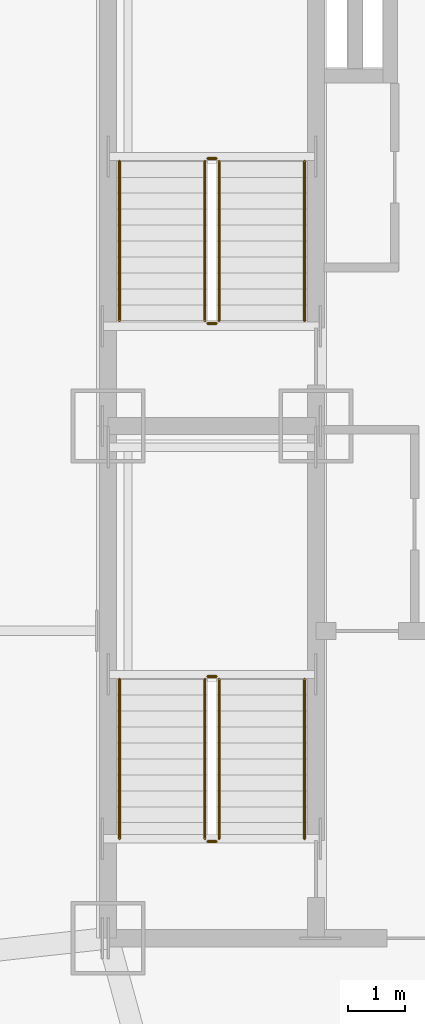
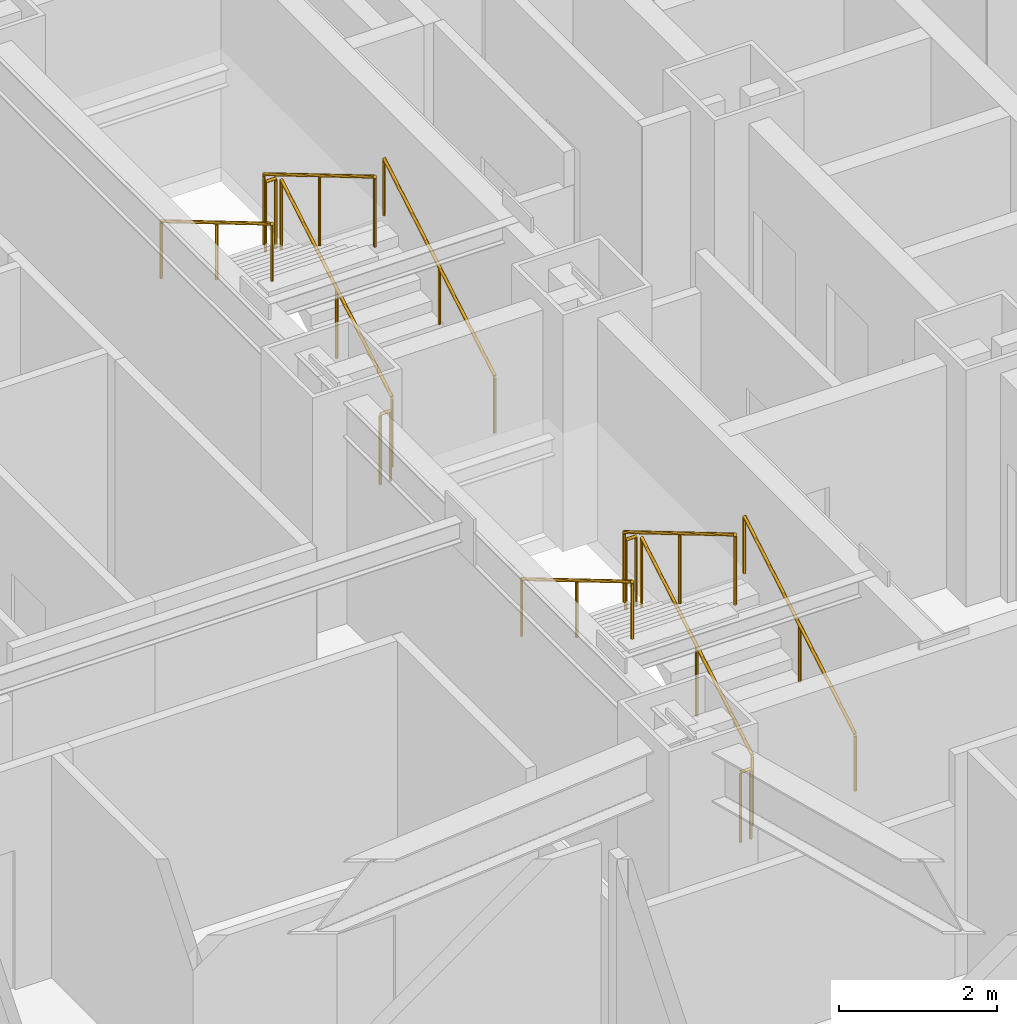
# One storey, part 14 of 14: 12 railings.
"""IFC4 building model written with IfcOpenShell, lengths in metres."""

import ifcopenshell
import ifcopenshell.guid

model = None  # the IFC model being written
_history = None  # IfcOwnerHistory: only IFC2X3 demands one
_inside = {}  # id of a spatial element -> (the spatial element, [elements in it])
_under = {}  # id of a project, library or spatial element -> (it, [spatial elements below it])
_declared = {}  # id of a project -> (the project, [libraries it declares])
_typed = {}  # id of a type object -> (the type object, [elements of that type])
_made_of = {}  # id of a material, layer set ... -> (it, [elements and type objects made of it])


def new_model(schema):
    """Start an empty IFC model of exactly this schema.

    Asked for "IFC4X3", IfcOpenShell would pick the latest addendum, in which some entities
    have other attributes; the version numbers below select the first issue.
    IFC2X3 requires an IfcOwnerHistory on every rooted entity: one is made here for all.
    """
    global model, _history
    if schema == "IFC4X3":
        model = ifcopenshell.file(schema_version=(4, 3, 0, 0))
    else:
        model = ifcopenshell.file(schema=schema)
    _inside.clear()
    _under.clear()
    _declared.clear()
    _typed.clear()
    _made_of.clear()
    _history = None
    if model.schema == "IFC2X3":
        org = make("IfcOrganization", Name="unknown")
        user = make(
            "IfcPersonAndOrganization",
            ThePerson=make("IfcPerson", FamilyName="unknown"),
            TheOrganization=org,
        )
        app = make(
            "IfcApplication",
            ApplicationDeveloper=org,
            Version="unknown",
            ApplicationFullName="unknown",
            ApplicationIdentifier="unknown",
        )
        _history = make(
            "IfcOwnerHistory",
            OwningUser=user,
            OwningApplication=app,
            ChangeAction="ADDED",
            CreationDate=0,
        )
    return model


def make(cls, **values):
    """One entity of the class cls with the attributes given. An attribute that is None is left unset."""
    return model.create_entity(
        cls, **{name: value for name, value in values.items() if value is not None}
    )


def rooted(cls, **values):
    """An entity with a GlobalId (a new one), such as an element, a storey or a relation."""
    return make(cls, GlobalId=ifcopenshell.guid.new(), OwnerHistory=_history, **values)


def si_unit(unit_type, name, prefix=None):
    """IfcSIUnit, for example si_unit("LENGTHUNIT", "METRE", prefix="MILLI")."""
    return make("IfcSIUnit", UnitType=unit_type, Prefix=prefix, Name=name)


def assignment(units):
    """IfcUnitAssignment: the units of a project."""
    return None if units is None else make("IfcUnitAssignment", Units=units)


def point(xyz):
    """IfcCartesianPoint."""
    return None if xyz is None else make("IfcCartesianPoint", Coordinates=xyz)


def direction(xyz):
    """IfcDirection."""
    return None if xyz is None else make("IfcDirection", DirectionRatios=xyz)


def frame(location, z_axis=None, x_axis=None):
    """IfcAxis2Placement3D, a coordinate frame: its origin and axes. An axis left out is left unset."""
    return make(
        "IfcAxis2Placement3D",
        Location=point(location),
        Axis=direction(z_axis),
        RefDirection=direction(x_axis),
    )


def frame_2d(location, x_axis=None):
    """IfcAxis2Placement2D, a coordinate frame in the plane: its origin and x axis."""
    return make(
        "IfcAxis2Placement2D", Location=point(location), RefDirection=direction(x_axis)
    )


def origin():
    """The frame at (0, 0, 0) with its axes left unset."""
    return frame((0.0, 0.0, 0.0))


def origin_2d():
    """The frame at (0, 0) in the plane with its x axis left unset."""
    return frame_2d((0.0, 0.0))


def place(relative_to, where):
    """IfcLocalPlacement: puts the frame where relative to a parent placement (None: the world)."""
    return make(
        "IfcLocalPlacement", PlacementRelTo=relative_to, RelativePlacement=where
    )


def context(
    kind, dimensions, precision=None, world=None, true_north=None, identifier=None
):
    """IfcGeometricRepresentationContext, for example the 3D "Model" context."""
    return make(
        "IfcGeometricRepresentationContext",
        ContextIdentifier=identifier,
        ContextType=kind,
        CoordinateSpaceDimension=dimensions,
        Precision=precision,
        WorldCoordinateSystem=world,
        TrueNorth=true_north,
    )


def subcontext(parent, identifier, kind, view, scale=None):
    """IfcGeometricRepresentationSubContext, for example "Body" below "Model"."""
    return make(
        "IfcGeometricRepresentationSubContext",
        ContextIdentifier=identifier,
        ContextType=kind,
        ParentContext=parent,
        TargetScale=scale,
        TargetView=view,
    )


def project(units=None, contexts=None):
    """IfcProject with its units and contexts."""
    return rooted(
        "IfcProject",
        Name="project",
        RepresentationContexts=contexts,
        UnitsInContext=assignment(units),
    )


def spatial(cls, under=None, at=None, **own):
    """A site, building, storey or space (cls), placed at a placement, below another one or the project."""
    s = rooted(cls, ObjectPlacement=at, **own)
    if under is not None:
        _under.setdefault(under.id(), (under, []))[1].append(s)
    return s


def profile(cls, at=None, kind="AREA", **sizes):
    """A parametric profile (cls). Its sizes go by their IFC names, for example OverallWidth=200.0."""
    return make(cls, ProfileType=kind, Position=at, **sizes)


def circle(**sizes):
    """IfcCircleProfileDef."""
    return profile("IfcCircleProfileDef", **sizes)


def extrude(swept, where, along, depth):
    """IfcExtrudedAreaSolid: the profile swept, set in the frame where, extruded along a direction by depth."""
    return make(
        "IfcExtrudedAreaSolid",
        SweptArea=swept,
        Position=where,
        ExtrudedDirection=direction(along),
        Depth=depth,
    )


def shape(context_of_items, identifier, shape_type, items):
    """IfcShapeRepresentation: the items that make up one representation, for example the "Body"."""
    return make(
        "IfcShapeRepresentation",
        ContextOfItems=context_of_items,
        RepresentationIdentifier=identifier,
        RepresentationType=shape_type,
        Items=items,
    )


def material(Name=None, Category=None):
    """IfcMaterial."""
    return make("IfcMaterial", Name=Name, Category=Category)


def made_of(thing, what):
    """Note that an element or type object is made of a material, layer set ...; save() writes the relation."""
    if what is not None:
        _made_of.setdefault(what.id(), (what, []))[1].append(thing)
    return thing


def type_object(cls, material=None, **own):
    """A type object (cls), such as IfcWallType, which elements share."""
    return made_of(rooted(cls, **own), material)


def element(
    cls,
    number,
    at=None,
    inside=None,
    cuts=None,
    type_object=None,
    material=None,
    context=None,
    identifier="Body",
    shape_type=None,
    held_by="IfcProductDefinitionShape",
    body=None,
    shapes=None,
    **own,
):
    """One element of the class cls, such as IfcWall. Its Tag is "e" and its number.

    at: its placement. inside: the storey or other place that contains it. cuts: it is an
    opening in that element (IfcRelVoidsElement). A single representation is given by context,
    identifier, shape_type and body (its items); several are given by shapes. held_by: the class
    of the entity that holds the representations. save() writes the other relations.
    """
    e = rooted(cls, Tag="e%d" % number, ObjectPlacement=at, **own)
    if body is not None:
        shapes = [shape(context, identifier, shape_type, body)]
    if shapes is not None:
        e.Representation = make(held_by, Representations=shapes)
    if inside is not None:
        _inside.setdefault(inside.id(), (inside, []))[1].append(e)
    if cuts is not None:
        rooted(
            "IfcRelVoidsElement", RelatingBuildingElement=cuts, RelatedOpeningElement=e
        )
    if type_object is not None:
        _typed.setdefault(type_object.id(), (type_object, []))[1].append(e)
    return made_of(e, material)


def aggregate(whole, parts):
    """IfcRelAggregates: a whole, such as a stair, and the parts it consists of."""
    return rooted("IfcRelAggregates", RelatingObject=whole, RelatedObjects=parts)


def save(model, path):
    """Write the relations noted so far, then the file.

    IfcRelAggregates (storeys below a building ...), IfcRelContainedInSpatialStructure (elements
    in a storey), IfcRelDefinesByType, IfcRelAssociatesMaterial and IfcRelDeclares: one each for
    every whole, place, type object, material and project.
    """
    for whole, parts in _under.values():
        aggregate(whole, parts)
    for where, things in _inside.values():
        rooted(
            "IfcRelContainedInSpatialStructure",
            RelatedElements=things,
            RelatingStructure=where,
        )
    for kind, things in _typed.values():
        rooted("IfcRelDefinesByType", RelatedObjects=things, RelatingType=kind)
    for what, things in _made_of.values():
        rooted("IfcRelAssociatesMaterial", RelatedObjects=things, RelatingMaterial=what)
    for by, libraries in _declared.values():
        rooted("IfcRelDeclares", RelatingContext=by, RelatedDefinitions=libraries)
    model.write(path)


model = new_model("IFC4")

# Units and contexts
model_context = context("Model", 3, precision=1e-05, world=origin(), true_north=direction((0.0, 1.0)))
body_context = subcontext(model_context, "Body", "Model", "MODEL_VIEW")
ifc_project = project(units=[si_unit("LENGTHUNIT", "METRE"), si_unit("AREAUNIT", "SQUARE_METRE"), si_unit("VOLUMEUNIT", "CUBIC_METRE"), si_unit("PLANEANGLEUNIT", "RADIAN"), si_unit("MASSUNIT", "GRAM", prefix="KILO")], contexts=[model_context])

# Site, building, storey
site_placement = place(None, origin())
site = spatial("IfcSite", under=ifc_project, at=site_placement, CompositionType="ELEMENT")
building_placement = place(site_placement, origin())
building = spatial("IfcBuilding", under=site, at=building_placement, Name="Khamvora Tower", CompositionType="ELEMENT")
storey_placement = place(building_placement, frame((0.0, 0.0, 51.550048828125)))
storey = spatial("IfcBuildingStorey", under=building, at=storey_placement, Name="L12", CompositionType="ELEMENT", Elevation=51.550048828125)

# Railings
ifc_material_1 = material(Name="Brushed Stainless Steel 316", Category="steel")
railing_type_1 = type_object("IfcRailingType", Name="RAL-HDR-920", PredefinedType="HANDRAIL", material=ifc_material_1)
railing_1_placement = place(storey_placement, frame((32.449951171875, 20.75, 0.165771484375)))
element("IfcRailing", 1, at=railing_1_placement, inside=storey, type_object=railing_type_1, Name="L12 ST-01 stair handrail 1", PredefinedType="HANDRAIL", context=body_context, shape_type="SweptSolid", body=[
    extrude(circle(Radius=0.02392578125, at=origin_2d()), frame((0.0, 0.0, 0.8759765625), z_axis=(0.0, 0.860306154799, 0.50977771628), x_axis=(-1.0, 0.0, 0.0)), (0.0, 0.0, 1.0), 3.254638671875),
    extrude(circle(Radius=0.02099609375, at=origin_2d()), origin(), (0.0, 0.0, 1.0), 0.851806640625),
    extrude(circle(Radius=0.02099609375, at=origin_2d()), frame((0.0, 1.39990234375, 0.82958984375)), (0.0, 0.0, 1.0), 0.851806640625),
    extrude(circle(Radius=0.02099609375, at=origin_2d()), frame((0.0, 2.800048828125, 1.6591796875)), (0.0, 0.0, 1.0), 0.851806640625),
])
railing_2_placement = place(storey_placement, frame((29.199951171875, 23.550048828125, 1.990966796875)))
element("IfcRailing", 2, at=railing_2_placement, inside=storey, type_object=railing_type_1, Name="L12 ST-01 stair handrail 2", PredefinedType="HANDRAIL", context=body_context, shape_type="SweptSolid", body=[
    extrude(circle(Radius=0.02392578125, at=origin_2d()), frame((0.0, 0.0, 0.8759765625), z_axis=(0.0, -0.860339051648, 0.50972219513), x_axis=(1.0, 0.0, 0.0)), (0.0, 0.0, 1.0), 3.254638671875),
    extrude(circle(Radius=0.02099609375, at=origin_2d()), origin(), (0.0, 0.0, 1.0), 0.851806640625),
    extrude(circle(Radius=0.02099609375, at=origin_2d()), frame((0.0, -1.39990234375, 0.82958984375)), (0.0, 0.0, 1.0), 0.851806640625),
    extrude(circle(Radius=0.02099609375, at=origin_2d()), frame((0.0, -2.800048828125, 1.658935546875)), (0.0, 0.0, 1.0), 0.851806640625),
])
railing_3_placement = place(storey_placement, frame((32.449951171875, 29.85009765625, 0.165771484375)))
element("IfcRailing", 3, at=railing_3_placement, inside=storey, type_object=railing_type_1, Name="L12 ST-02 stair handrail 1", PredefinedType="HANDRAIL", context=body_context, shape_type="SweptSolid", body=[
    extrude(circle(Radius=0.02392578125, at=origin_2d()), frame((0.0, 0.0, 0.8759765625), z_axis=(0.0, 0.860286659441, 0.509810615413), x_axis=(-1.0, 0.0, 0.0)), (0.0, 0.0, 1.0), 3.25439453125),
    extrude(circle(Radius=0.02099609375, at=origin_2d()), origin(), (0.0, 0.0, 1.0), 0.851806640625),
    extrude(circle(Radius=0.02099609375, at=origin_2d()), frame((0.0, 1.39990234375, 0.82958984375)), (0.0, 0.0, 1.0), 0.851806640625),
    extrude(circle(Radius=0.02099609375, at=origin_2d()), frame((0.0, 2.7998046875, 1.6591796875)), (0.0, 0.0, 1.0), 0.851806640625),
])
railing_4_placement = place(storey_placement, frame((29.199951171875, 32.64990234375, 1.990966796875)))
element("IfcRailing", 4, at=railing_4_placement, inside=storey, type_object=railing_type_1, Name="L12 ST-02 stair handrail 2", PredefinedType="HANDRAIL", context=body_context, shape_type="SweptSolid", body=[
    extrude(circle(Radius=0.02392578125, at=origin_2d()), frame((0.0, 0.0, 0.8759765625), z_axis=(0.0, -0.860319559791, 0.509755093197), x_axis=(1.0, 0.0, 0.0)), (0.0, 0.0, 1.0), 3.25439453125),
    extrude(circle(Radius=0.02099609375, at=origin_2d()), origin(), (0.0, 0.0, 1.0), 0.851806640625),
    extrude(circle(Radius=0.02099609375, at=origin_2d()), frame((0.0, -1.39990234375, 0.82958984375)), (0.0, 0.0, 1.0), 0.851806640625),
    extrude(circle(Radius=0.02099609375, at=origin_2d()), frame((0.0, -2.7998046875, 1.658935546875)), (0.0, 0.0, 1.0), 0.851806640625),
])
ifc_material_2 = material(Name="Stainless Steel 316", Category="steel")
railing_type_2 = type_object("IfcRailingType", Name="RAL-STG-1100", PredefinedType="GUARDRAIL", material=ifc_material_2)
railing_5_placement = place(storey_placement, frame((30.949951171875, 20.75, 0.165771484375)))
element("IfcRailing", 5, at=railing_5_placement, inside=storey, type_object=railing_type_2, Name="L12 ST-01 stair guard 1", PredefinedType="GUARDRAIL", context=body_context, shape_type="SweptSolid", body=[
    extrude(circle(Radius=0.02392578125, at=origin_2d()), frame((0.0, 0.0, 1.076171875), z_axis=(0.0, 0.860306154799, 0.50977771628), x_axis=(-1.0, 0.0, 0.0)), (0.0, 0.0, 1.0), 3.254638671875),
    extrude(circle(Radius=0.02099609375, at=origin_2d()), origin(), (0.0, 0.0, 1.0), 1.052001953125),
    extrude(circle(Radius=0.02099609375, at=origin_2d()), frame((0.0, 1.39990234375, 0.82958984375)), (0.0, 0.0, 1.0), 1.052001953125),
    extrude(circle(Radius=0.02099609375, at=origin_2d()), frame((0.0, 2.800048828125, 1.6591796875)), (0.0, 0.0, 1.0), 1.052001953125),
])
railing_6_placement = place(storey_placement, frame((30.89990234375, 23.60009765625, 1.824951171875)))
element("IfcRailing", 6, at=railing_6_placement, inside=storey, type_object=railing_type_2, Name="L12 ST-01 stair guard 2", PredefinedType="GUARDRAIL", context=body_context, shape_type="SweptSolid", body=[
    extrude(circle(Radius=0.02392578125, at=origin_2d()), frame((0.0, 0.0, 1.076171875), z_axis=(-1.0, 0.0, 0.0), x_axis=(0.0, -1.0, 0.0)), (0.0, 0.0, 1.0), 0.14990234375),
    extrude(circle(Radius=0.02099609375, at=origin_2d()), origin(), (0.0, 0.0, 1.0), 1.052001953125),
    extrude(circle(Radius=0.02099609375, at=origin_2d()), frame((-0.14990234375, 0.0, 0.0)), (0.0, 0.0, 1.0), 1.052001953125),
])
railing_7_placement = place(storey_placement, frame((30.699951171875, 23.550048828125, 1.990966796875)))
element("IfcRailing", 7, at=railing_7_placement, inside=storey, type_object=railing_type_2, Name="L12 ST-01 stair guard 3", PredefinedType="GUARDRAIL", context=body_context, shape_type="SweptSolid", body=[
    extrude(circle(Radius=0.02392578125, at=origin_2d()), frame((0.0, 0.0, 1.076171875), z_axis=(0.0, -0.860339051648, 0.50972219513), x_axis=(1.0, 0.0, 0.0)), (0.0, 0.0, 1.0), 3.254638671875),
    extrude(circle(Radius=0.02099609375, at=origin_2d()), origin(), (0.0, 0.0, 1.0), 1.052001953125),
    extrude(circle(Radius=0.02099609375, at=origin_2d()), frame((0.0, -1.39990234375, 0.82958984375)), (0.0, 0.0, 1.0), 1.052001953125),
    extrude(circle(Radius=0.02099609375, at=origin_2d()), frame((0.0, -2.800048828125, 1.658935546875)), (0.0, 0.0, 1.0), 1.052001953125),
])
railing_8_placement = place(storey_placement, frame((30.89990234375, 20.699951171875, 0.0)))
element("IfcRailing", 8, at=railing_8_placement, inside=storey, type_object=railing_type_2, Name="L12 ST-01 stair guard 4", PredefinedType="GUARDRAIL", context=body_context, shape_type="SweptSolid", body=[
    extrude(circle(Radius=0.02392578125, at=origin_2d()), frame((0.0, 0.0, 1.076171875), z_axis=(-1.0, 0.0, 0.0), x_axis=(0.0, -1.0, 0.0)), (0.0, 0.0, 1.0), 0.14990234375),
    extrude(circle(Radius=0.02099609375, at=origin_2d()), origin(), (0.0, 0.0, 1.0), 1.052001953125),
    extrude(circle(Radius=0.02099609375, at=origin_2d()), frame((-0.14990234375, 0.0, 0.0)), (0.0, 0.0, 1.0), 1.052001953125),
])
railing_9_placement = place(storey_placement, frame((30.949951171875, 29.85009765625, 0.165771484375)))
element("IfcRailing", 9, at=railing_9_placement, inside=storey, type_object=railing_type_2, Name="L12 ST-02 stair guard 1", PredefinedType="GUARDRAIL", context=body_context, shape_type="SweptSolid", body=[
    extrude(circle(Radius=0.02392578125, at=origin_2d()), frame((0.0, 0.0, 1.076171875), z_axis=(0.0, 0.860286659441, 0.509810615413), x_axis=(-1.0, 0.0, 0.0)), (0.0, 0.0, 1.0), 3.25439453125),
    extrude(circle(Radius=0.02099609375, at=origin_2d()), origin(), (0.0, 0.0, 1.0), 1.052001953125),
    extrude(circle(Radius=0.02099609375, at=origin_2d()), frame((0.0, 1.39990234375, 0.82958984375)), (0.0, 0.0, 1.0), 1.052001953125),
    extrude(circle(Radius=0.02099609375, at=origin_2d()), frame((0.0, 2.7998046875, 1.6591796875)), (0.0, 0.0, 1.0), 1.052001953125),
])
railing_10_placement = place(storey_placement, frame((30.89990234375, 32.699951171875, 1.824951171875)))
element("IfcRailing", 10, at=railing_10_placement, inside=storey, type_object=railing_type_2, Name="L12 ST-02 stair guard 2", PredefinedType="GUARDRAIL", context=body_context, shape_type="SweptSolid", body=[
    extrude(circle(Radius=0.02392578125, at=origin_2d()), frame((0.0, 0.0, 1.076171875), z_axis=(-1.0, 0.0, 0.0), x_axis=(0.0, -1.0, 0.0)), (0.0, 0.0, 1.0), 0.14990234375),
    extrude(circle(Radius=0.02099609375, at=origin_2d()), origin(), (0.0, 0.0, 1.0), 1.052001953125),
    extrude(circle(Radius=0.02099609375, at=origin_2d()), frame((-0.14990234375, 0.0, 0.0)), (0.0, 0.0, 1.0), 1.052001953125),
])
railing_11_placement = place(storey_placement, frame((30.699951171875, 32.64990234375, 1.990966796875)))
element("IfcRailing", 11, at=railing_11_placement, inside=storey, type_object=railing_type_2, Name="L12 ST-02 stair guard 3", PredefinedType="GUARDRAIL", context=body_context, shape_type="SweptSolid", body=[
    extrude(circle(Radius=0.02392578125, at=origin_2d()), frame((0.0, 0.0, 1.076171875), z_axis=(0.0, -0.860319559791, 0.509755093197), x_axis=(1.0, 0.0, 0.0)), (0.0, 0.0, 1.0), 3.25439453125),
    extrude(circle(Radius=0.02099609375, at=origin_2d()), origin(), (0.0, 0.0, 1.0), 1.052001953125),
    extrude(circle(Radius=0.02099609375, at=origin_2d()), frame((0.0, -1.39990234375, 0.82958984375)), (0.0, 0.0, 1.0), 1.052001953125),
    extrude(circle(Radius=0.02099609375, at=origin_2d()), frame((0.0, -2.7998046875, 1.658935546875)), (0.0, 0.0, 1.0), 1.052001953125),
])
railing_12_placement = place(storey_placement, frame((30.89990234375, 29.800048828125, 0.0)))
element("IfcRailing", 12, at=railing_12_placement, inside=storey, type_object=railing_type_2, Name="L12 ST-02 stair guard 4", PredefinedType="GUARDRAIL", context=body_context, shape_type="SweptSolid", body=[
    extrude(circle(Radius=0.02392578125, at=origin_2d()), frame((0.0, 0.0, 1.076171875), z_axis=(-1.0, 0.0, 0.0), x_axis=(0.0, -1.0, 0.0)), (0.0, 0.0, 1.0), 0.14990234375),
    extrude(circle(Radius=0.02099609375, at=origin_2d()), origin(), (0.0, 0.0, 1.0), 1.052001953125),
    extrude(circle(Radius=0.02099609375, at=origin_2d()), frame((-0.14990234375, 0.0, 0.0)), (0.0, 0.0, 1.0), 1.052001953125),
])

save(model, "model.ifc")
